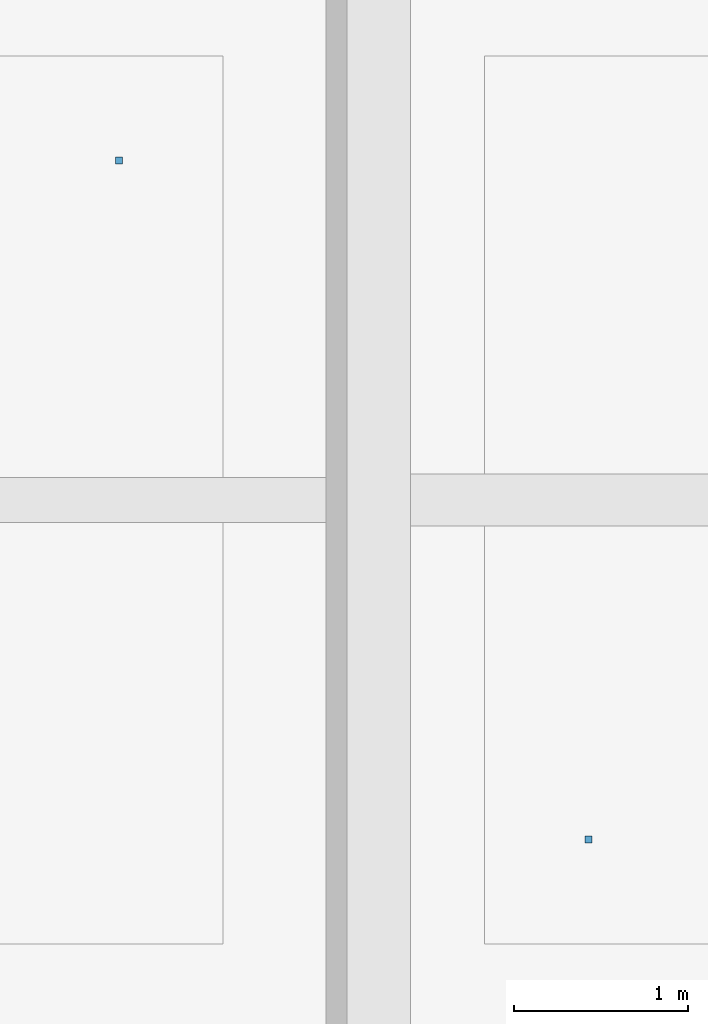
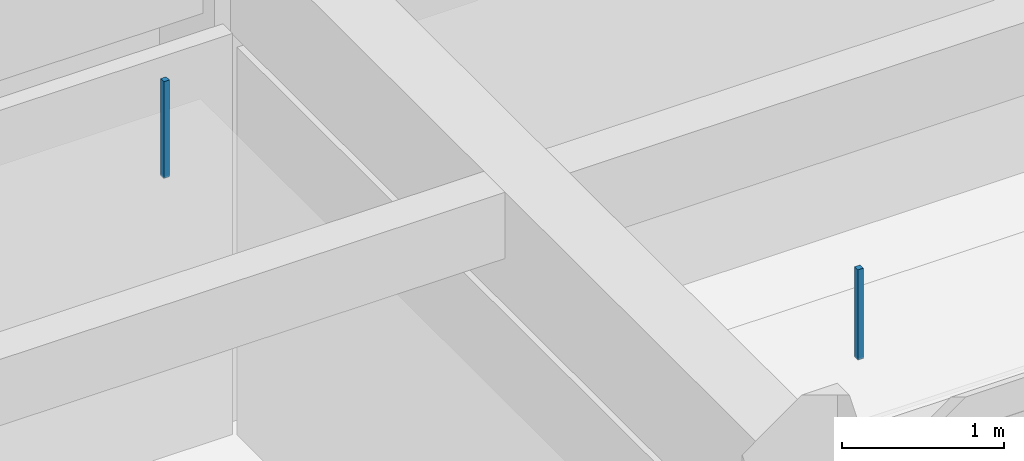
# One storey, part 57 of 88: 2 discrete accessories.
"""IFC4 building model written with IfcOpenShell, lengths in metres."""

from ifc_helpers import new_model, si_unit, direction, frame, origin, origin_2d, place, context, subcontext, project, spatial, rectangle, extrude, material, type_object, element, save


model = new_model("IFC4")

# Units and contexts
model_context = context("Model", 3, precision=1e-05, world=origin(), true_north=direction((0.0, 1.0)))
body_context = subcontext(model_context, "Body", "Model", "MODEL_VIEW")
ifc_project = project(units=[si_unit("LENGTHUNIT", "METRE"), si_unit("AREAUNIT", "SQUARE_METRE"), si_unit("VOLUMEUNIT", "CUBIC_METRE"), si_unit("PLANEANGLEUNIT", "RADIAN"), si_unit("MASSUNIT", "GRAM", prefix="KILO")], contexts=[model_context])

# Site, building, storey
site_placement = place(None, origin())
site = spatial("IfcSite", under=ifc_project, at=site_placement, CompositionType="ELEMENT")
building_placement = place(site_placement, origin())
building = spatial("IfcBuilding", under=site, at=building_placement, Name="Alvorim Cloister Faculty of Sciences", CompositionType="ELEMENT")
storey_placement = place(building_placement, frame((0.0, 0.0, 4.5)))
storey = spatial("IfcBuildingStorey", under=building, at=storey_placement, Name="L01", CompositionType="ELEMENT", Elevation=4.5)

# Discrete accessories
ifc_material = material(Name="Galvanised Painted Steel", Category="steel")
discrete_accessory_type = type_object("IfcDiscreteAccessoryType", Name="ACC-CEIL-ROD", PredefinedType="BRACKET", material=ifc_material)
discrete_accessory_1_placement = place(storey_placement, frame((27.35009765625, 5.550048828125, 3.080078125), z_axis=(0.0, 0.0, 1.0), x_axis=(1.0, 0.0, 0.0)))
element("IfcDiscreteAccessory", 1, at=discrete_accessory_1_placement, inside=storey, type_object=discrete_accessory_type, Name="Ceiling Suspension Bracket ACC-ROD-006", PredefinedType="BRACKET", context=body_context, shape_type="SweptSolid", body=[
    extrude(rectangle(XDim=0.0400390625, YDim=0.0400390625, at=origin_2d()), origin(), (0.0, 0.0, 1.0), 0.72998046875),
])
discrete_accessory_2_placement = place(storey_placement, frame((30.050048828125, 1.64990234375, 3.1298828125), z_axis=(0.0, 0.0, 1.0), x_axis=(1.0, 0.0, 0.0)))
element("IfcDiscreteAccessory", 2, at=discrete_accessory_2_placement, inside=storey, type_object=discrete_accessory_type, Name="Ceiling Suspension Bracket ACC-ROD-007", PredefinedType="BRACKET", context=body_context, shape_type="SweptSolid", body=[
    extrude(rectangle(XDim=0.0400390625, YDim=0.0400390625, at=origin_2d()), origin(), (0.0, 0.0, 1.0), 0.68017578125),
])

save(model, "model.ifc")
